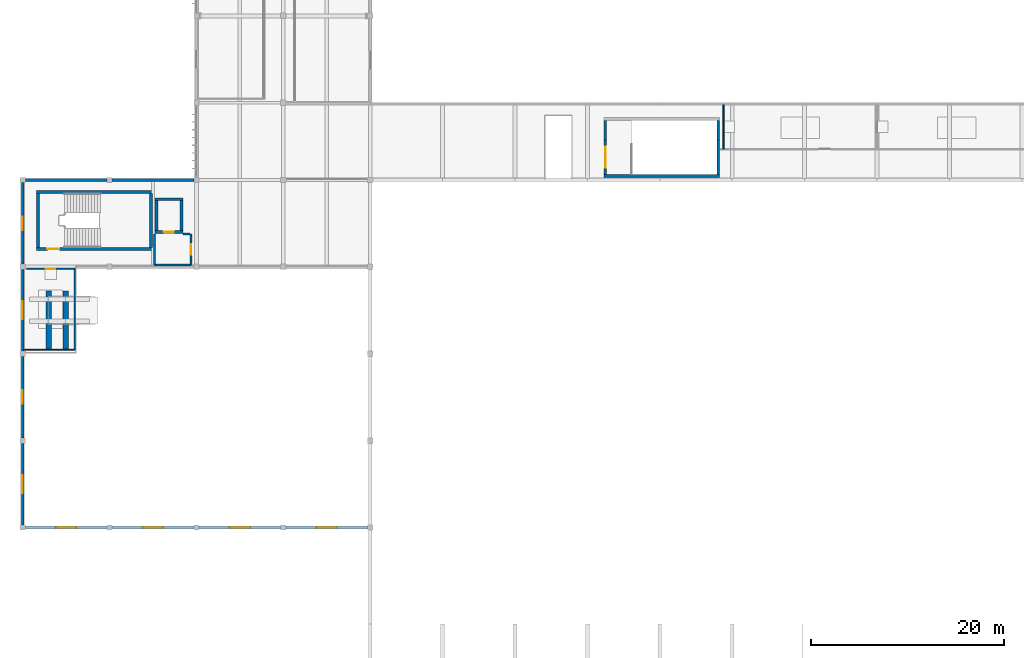
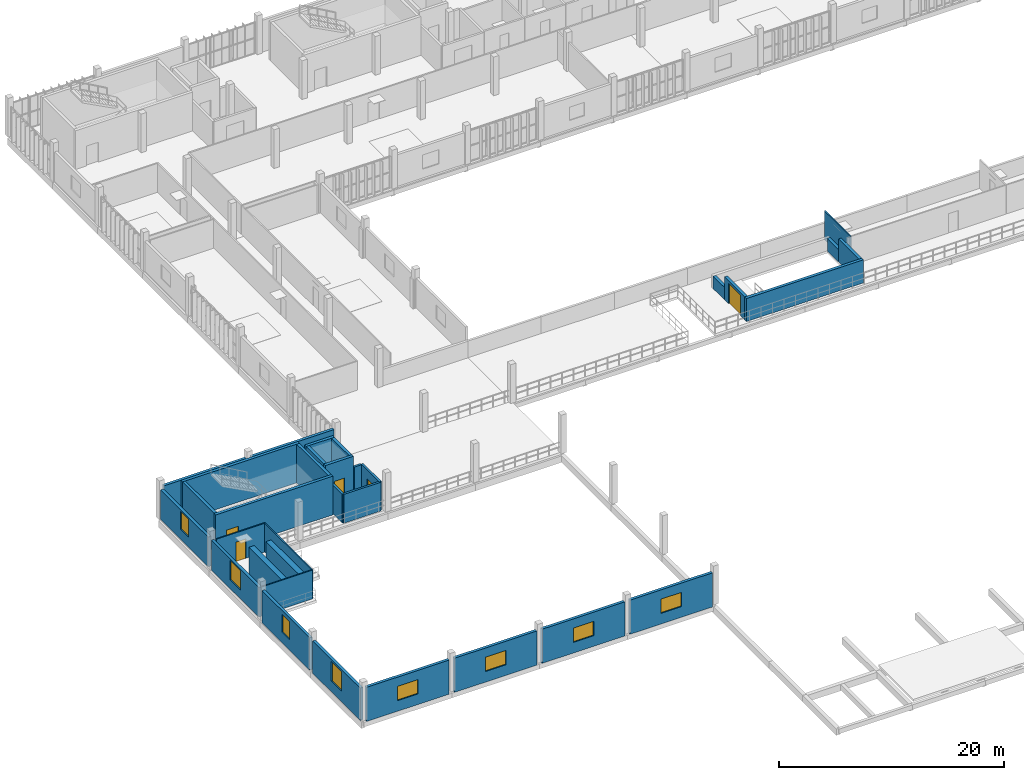
# One storey, part 40 of 61: 33 walls, 8 windows, 5 doors, 13 openings.
"""IFC4 building model written with IfcOpenShell, lengths in metres."""

from ifc_helpers import new_model, si_unit, direction, frame, frame_2d, origin, place, context, subcontext, project, spatial, rectangle, extrude, material, layer, layer_set, type_object, element, fill, save


model = new_model("IFC4")

# Units and contexts
model_context = context("Model", 3, precision=1e-05, world=origin(), true_north=direction((0.0, 1.0)))
body_context = subcontext(model_context, "Body", "Model", "MODEL_VIEW")
ifc_project = project(units=[si_unit("LENGTHUNIT", "METRE"), si_unit("AREAUNIT", "SQUARE_METRE"), si_unit("VOLUMEUNIT", "CUBIC_METRE"), si_unit("PLANEANGLEUNIT", "RADIAN"), si_unit("MASSUNIT", "GRAM", prefix="KILO")], contexts=[model_context])

# Site, building, storey
site_placement = place(None, origin())
site = spatial("IfcSite", under=ifc_project, at=site_placement, CompositionType="ELEMENT")
building_placement = place(site_placement, origin())
building = spatial("IfcBuilding", under=site, at=building_placement, Name="Vourika Railside Aquatics Centre", CompositionType="ELEMENT")
storey_placement = place(building_placement, frame((0.0, 0.0, 9.300048828125)))
storey = spatial("IfcBuildingStorey", under=building, at=storey_placement, Name="L02", CompositionType="ELEMENT", Elevation=9.300048828125)

# Wall, opening, door
ifc_material_1 = material(Name="Concrete C40/50", Category="concrete")
ifc_layer_1 = layer(ifc_material_1, 0.300048828125, Name="WL-CORE")
ifc_layer_set_1 = layer_set([ifc_layer_1], Name="Concrete C40/50")
wall_type_1 = type_object("IfcWallType", Name="WL-CORE", PredefinedType="SHEAR", material=ifc_layer_set_1)
wall_1_placement = place(storey_placement, frame((1.449951171875, 50.85009765625, 0.0), z_axis=(0.0, 0.0, 1.0), x_axis=(1.0, 0.0, 0.0)))
wall_1 = element("IfcWall", 1, at=wall_1_placement, inside=storey, type_object=wall_type_1, Name="Protected Exit Stair Core ST04 South Wall (L02)", PredefinedType="SHEAR", context=body_context, shape_type="SweptSolid", body=[
    extrude(rectangle(XDim=12.0, YDim=0.300048828125, at=frame_2d((6.0, 0.0))), origin(), (0.0, 0.0, 1.0), 4.199951171875),
])
opening_1_placement = place(wall_1_placement, frame((1.10009765625, 0.0, 0.0)))
opening_1 = element("IfcOpeningElement", 2, at=opening_1_placement, cuts=wall_1, Name="Opening DF02", PredefinedType="OPENING", context=body_context, shape_type="SweptSolid", body=[
    extrude(rectangle(XDim=1.25, YDim=2.14990234375, at=frame_2d((0.625, 1.074951171875))), frame((0.0, 0.16015625, 0.0), z_axis=(0.0, -1.0, 0.0), x_axis=(1.0, 0.0, 0.0)), (0.0, 0.0, 1.0), 0.320068359375),
])
ifc_material_2 = material(Name="Fire-rated wide exit stair door")
door_type_1 = type_object("IfcDoorType", Name="DR-FD60-125", OperationType="NOTDEFINED", PredefinedType="DOOR", material=ifc_material_2)
door_1_placement = place(opening_1_placement, origin())
door_1 = element("IfcDoor", 3, at=door_1_placement, inside=storey, type_object=door_type_1, Name="Protected Exit Stair Core ST04 Enclosure Fire Door (L02)", OperationType="SINGLE_SWING_LEFT", OverallHeight=2.14990234375, OverallWidth=1.25, PredefinedType="DOOR", context=body_context, shape_type="SweptSolid", body=[
    extrude(rectangle(XDim=1.25, YDim=2.14990234375, at=frame_2d((0.625, 1.074951171875))), frame((0.0, 0.02490234375, 0.0), z_axis=(0.0, -1.0, 0.0), x_axis=(1.0, 0.0, 0.0)), (0.0, 0.0, 1.0), 0.050048828125),
])
fill(opening_1, door_1)

# Walls
wall_2_placement = place(storey_placement, frame((13.449951171875, 56.75, 0.0), z_axis=(0.0, 0.0, 1.0), x_axis=(-1.0, 0.0, 0.0)))
element("IfcWall", 4, at=wall_2_placement, inside=storey, type_object=wall_type_1, Name="Protected Exit Stair Core ST04 North Wall (L02)", PredefinedType="SHEAR", context=body_context, shape_type="SweptSolid", body=[
    extrude(rectangle(XDim=12.0, YDim=0.300048828125, at=frame_2d((6.0, 0.0))), origin(), (0.0, 0.0, 1.0), 4.199951171875),
])
for number, where, z_axis, x_axis, name in (
    (5, (1.60009765625, 56.60009765625, 0.0), (0.0, 0.0, 1.0), (0.0, -1.0, 0.0), "Protected Exit Stair Core ST04 West Wall (L02)"),
    (6, (13.300048828125, 51.0, 0.0), (0.0, 0.0, 1.0), (0.0, 1.0, 0.0), "Protected Exit Stair Core ST04 East Wall (L02)"),
):
    element("IfcWall", number, at=place(storey_placement, frame(where, z_axis=z_axis, x_axis=x_axis)), inside=storey, type_object=wall_type_1, Name=name, PredefinedType="SHEAR", context=body_context, shape_type="SweptSolid", body=[
        extrude(rectangle(XDim=5.60009765625, YDim=0.300048828125, at=frame_2d((2.800048828125, 0.0))), origin(), (0.0, 0.0, 1.0), 4.199951171875),
    ])
wall_3_placement = place(storey_placement, frame((60.199951171875, 58.39990234375, 0.0), z_axis=(0.0, 0.0, 1.0), x_axis=(1.0, 0.0, 0.0)))
element("IfcWall", 7, at=wall_3_placement, inside=storey, type_object=wall_type_1, Name="Grandstand Vomitory Exit Stair ST08 South Wall (L02)", PredefinedType="SHEAR", context=body_context, shape_type="SweptSolid", body=[
    extrude(rectangle(XDim=12.0, YDim=0.300048828125, at=frame_2d((6.0, 0.0))), origin(), (0.0, 0.0, 1.0), 2.5),
])
wall_4_placement = place(storey_placement, frame((60.35009765625, 64.14990234375, 0.0), z_axis=(0.0, 0.0, 1.0), x_axis=(0.0, -1.0, 0.0)))
element("IfcWall", 8, at=wall_4_placement, inside=storey, type_object=wall_type_1, Name="Grandstand Vomitory Exit Stair ST08 West Low Wall (L02)", PredefinedType="SHEAR", context=body_context, shape_type="SweptSolid", body=[
    extrude(rectangle(XDim=2.0, YDim=0.300048828125, at=frame_2d((1.0, 0.0))), origin(), (0.0, 0.0, 1.0), 1.349853515625),
])

# Wall, opening, door
wall_5_placement = place(storey_placement, frame((60.35009765625, 62.14990234375, 0.0), z_axis=(0.0, 0.0, 1.0), x_axis=(0.0, -1.0, 0.0)))
wall_5 = element("IfcWall", 9, at=wall_5_placement, inside=storey, type_object=wall_type_1, Name="Grandstand Vomitory Exit Stair ST08 West Wall (L02)", PredefinedType="SHEAR", context=body_context, shape_type="SweptSolid", body=[
    extrude(rectangle(XDim=3.599853515625, YDim=0.300048828125, at=frame_2d((1.7998046875, 0.0))), origin(), (0.0, 0.0, 1.0), 2.5),
])
opening_2_placement = place(wall_5_placement, frame((0.699951171875, 0.0, 0.0)))
opening_2 = element("IfcOpeningElement", 10, at=opening_2_placement, cuts=wall_5, Name="Opening DF04", PredefinedType="OPENING", context=body_context, shape_type="SweptSolid", body=[
    extrude(rectangle(XDim=2.199951171875, YDim=2.25, at=frame_2d((1.10009765625, 1.125))), frame((0.0, 0.16015625, 0.0), z_axis=(0.0, -1.0, 0.0), x_axis=(1.0, 0.0, 0.0)), (0.0, 0.0, 1.0), 0.320068359375),
])
ifc_material_3 = material(Name="Fire-rated vomitory concourse double door")
door_type_2 = type_object("IfcDoorType", Name="DR-FD60D-220", OperationType="DOUBLE_DOOR_SINGLE_SWING", PredefinedType="DOOR", material=ifc_material_3)
door_2_placement = place(opening_2_placement, origin())
door_2 = element("IfcDoor", 11, at=door_2_placement, inside=storey, type_object=door_type_2, Name="Grandstand Vomitory Exit Stair ST08 Vomitory Portal Door (L02)", OperationType="DOUBLE_DOOR_SINGLE_SWING", OverallHeight=2.25, OverallWidth=2.199951171875, PredefinedType="DOOR", context=body_context, shape_type="SweptSolid", body=[
    extrude(rectangle(XDim=2.199951171875, YDim=2.25, at=frame_2d((1.10009765625, 1.125))), frame((0.0, 0.02490234375, 0.0), z_axis=(0.0, -1.0, 0.0), x_axis=(1.0, 0.0, 0.0)), (0.0, 0.0, 1.0), 0.050048828125),
])
fill(opening_2, door_2)

# Walls
wall_6_placement = place(storey_placement, frame((72.050048828125, 58.550048828125, 0.0), z_axis=(0.0, 0.0, 1.0), x_axis=(0.0, 1.0, 0.0)))
element("IfcWall", 12, at=wall_6_placement, inside=storey, type_object=wall_type_1, Name="Grandstand Vomitory Exit Stair ST08 East Wall (L02)", PredefinedType="SHEAR", context=body_context, shape_type="SweptSolid", body=[
    extrude(rectangle(XDim=3.599853515625, YDim=0.300048828125, at=frame_2d((1.7998046875, 0.0))), origin(), (0.0, 0.0, 1.0), 2.5),
])
wall_7_placement = place(storey_placement, frame((72.050048828125, 62.14990234375, 0.0), z_axis=(0.0, 0.0, 1.0), x_axis=(0.0, 1.0, 0.0)))
element("IfcWall", 13, at=wall_7_placement, inside=storey, type_object=wall_type_1, Name="Grandstand Vomitory Exit Stair ST08 East Low Wall (L02)", PredefinedType="SHEAR", context=body_context, shape_type="SweptSolid", body=[
    extrude(rectangle(XDim=2.0, YDim=0.300048828125, at=frame_2d((1.0, 0.0))), origin(), (0.0, 0.0, 1.0), 1.349853515625),
])

# Wall, opening, door
wall_8_placement = place(storey_placement, frame((13.699951171875, 52.60009765625, 0.0), z_axis=(0.0, 0.0, 1.0), x_axis=(1.0, 0.0, 0.0)))
wall_8 = element("IfcWall", 14, at=wall_8_placement, inside=storey, type_object=wall_type_1, Name="Lift LP02 Shaft South Wall (L02)", PredefinedType="SHEAR", context=body_context, shape_type="SweptSolid", body=[
    extrude(rectangle(XDim=2.900146484375, YDim=0.300048828125, at=frame_2d((1.4501953125, 0.0))), origin(), (0.0, 0.0, 1.0), 4.199951171875),
])
opening_3_placement = place(wall_8_placement, frame((0.925048828125, 0.0, 0.0)))
opening_3 = element("IfcOpeningElement", 15, at=opening_3_placement, cuts=wall_8, Name="Opening LD02", PredefinedType="OPENING", context=body_context, shape_type="SweptSolid", body=[
    extrude(rectangle(XDim=1.050048828125, YDim=2.14990234375, at=frame_2d((0.52490234375, 1.074951171875))), frame((0.0, 0.16015625, 0.0), z_axis=(0.0, -1.0, 0.0), x_axis=(1.0, 0.0, 0.0)), (0.0, 0.0, 1.0), 0.320068359375),
])
ifc_material_4 = material(Name="Stainless passenger lift landing door")
door_type_3 = type_object("IfcDoorType", Name="DR-LIFT-LD2", OperationType="DOUBLE_DOOR_SLIDING", PredefinedType="DOOR", material=ifc_material_4)
door_3_placement = place(opening_3_placement, origin())
door_3 = element("IfcDoor", 16, at=door_3_placement, inside=storey, type_object=door_type_3, Name="Lift LP02 Sliding Landing Door (L02)", OperationType="DOUBLE_DOOR_SLIDING", OverallHeight=2.14990234375, OverallWidth=1.050048828125, PredefinedType="DOOR", context=body_context, shape_type="SweptSolid", body=[
    extrude(rectangle(XDim=1.050048828125, YDim=2.14990234375, at=frame_2d((0.52490234375, 1.074951171875))), frame((0.0, 0.02490234375, 0.0), z_axis=(0.0, -1.0, 0.0), x_axis=(1.0, 0.0, 0.0)), (0.0, 0.0, 1.0), 0.050048828125),
])
fill(opening_3, door_3)

# Walls
wall_9_placement = place(storey_placement, frame((16.60009765625, 56.0, 0.0), z_axis=(0.0, 0.0, 1.0), x_axis=(-1.0, 0.0, 0.0)))
element("IfcWall", 17, at=wall_9_placement, inside=storey, type_object=wall_type_1, Name="Lift LP02 Shaft North Wall (L02)", PredefinedType="SHEAR", context=body_context, shape_type="SweptSolid", body=[
    extrude(rectangle(XDim=2.900146484375, YDim=0.300048828125, at=frame_2d((1.4501953125, 0.0))), origin(), (0.0, 0.0, 1.0), 4.199951171875),
])
for number, where, z_axis, x_axis, name in (
    (18, (13.85009765625, 56.0, 0.0), (0.0, 0.0, 1.0), (0.0, -1.0, 0.0), "Lift LP02 Shaft West Wall (L02)"),
    (19, (16.449951171875, 52.60009765625, 0.0), (0.0, 0.0, 1.0), (0.0, 1.0, 0.0), "Lift LP02 Shaft East Wall (L02)"),
):
    element("IfcWall", number, at=place(storey_placement, frame(where, z_axis=z_axis, x_axis=x_axis)), inside=storey, type_object=wall_type_1, Name=name, PredefinedType="SHEAR", context=body_context, shape_type="SweptSolid", body=[
        extrude(rectangle(XDim=3.39990234375, YDim=0.300048828125, at=frame_2d((1.699951171875, 0.0))), origin(), (0.0, 0.0, 1.0), 4.199951171875),
    ])
ifc_layer_2 = layer(ifc_material_1, 0.550048828125, Name="WL-DIVE-550")
ifc_layer_set_2 = layer_set([ifc_layer_2], Name="Concrete C40/50")
wall_type_2 = type_object("IfcWallType", Name="WL-DIVE-550", PredefinedType="SOLIDWALL", material=ifc_layer_set_2)
for number, where, z_axis, x_axis, name in (
    (20, (2.699951171875, 40.39990234375, 0.0), (0.0, 0.0, 1.0), (0.0, 1.0, 0.0), "Sculpted Diving Tower Spine Wall W (L02)"),
    (21, (4.449951171875, 40.39990234375, 0.0), (0.0, 0.0, 1.0), (0.0, 1.0, 0.0), "Sculpted Diving Tower Spine Wall E (L02)"),
):
    element("IfcWall", number, at=place(storey_placement, frame(where, z_axis=z_axis, x_axis=x_axis)), inside=storey, type_object=wall_type_2, Name=name, PredefinedType="SOLIDWALL", context=body_context, shape_type="SweptSolid", body=[
        extrude(rectangle(XDim=6.10009765625, YDim=0.550048828125, at=frame_2d((3.050048828125, 0.0))), origin(), (0.0, 0.0, 1.0), 2.89990234375),
    ])

# Wall, opening, window
ifc_material_5 = material(Name="Precast concrete C40/50", Category="concrete")
ifc_layer_3 = layer(ifc_material_5, 0.2900390625, Name="WL-EXT-290")
ifc_layer_set_3 = layer_set([ifc_layer_3], Name="Precast concrete C40/50")
wall_type_3 = type_object("IfcWallType", Name="WL-EXT-290", PredefinedType="SOLIDWALL", material=ifc_layer_set_3)
wall_10_placement = place(storey_placement, frame((0.0, 30.72509765625, -0.280029296875), z_axis=(0.0, 0.0, 1.0), x_axis=(0.0, -1.0, 0.0)))
wall_10 = element("IfcWall", 22, at=wall_10_placement, inside=storey, type_object=wall_type_3, Name="Diving Hall West Precast Wall (L02-1)", PredefinedType="SOLIDWALL", context=body_context, shape_type="SweptSolid", body=[
    extrude(rectangle(XDim=8.4501953125, YDim=0.2900390625, at=frame_2d((4.22509765625, 0.0))), origin(), (0.0, 0.0, 1.0), 3.5),
])
opening_4_placement = place(wall_10_placement, frame((3.300048828125, 0.0, 1.14990234375)))
opening_4 = element("IfcOpeningElement", 23, at=opening_4_placement, cuts=wall_10, Name="Opening W15", PredefinedType="OPENING", context=body_context, shape_type="SweptSolid", body=[
    extrude(rectangle(XDim=1.85009765625, YDim=2.10009765625, at=frame_2d((0.925048828125, 1.050048828125))), frame((0.0, 0.155029296875, 0.0), z_axis=(0.0, -1.0, 0.0), x_axis=(1.0, 0.0, 0.0)), (0.0, 0.0, 1.0), 0.31005859375),
])
ifc_material_6 = material(Name="Laminated solar-control glass", Category="glass")
window_type_1 = type_object("IfcWindowType", Name="WN-DIV-185x210", PartitioningType="DOUBLE_PANEL_VERTICAL", PredefinedType="WINDOW", material=ifc_material_6)
window_1_placement = place(opening_4_placement, origin())
window_1 = element("IfcWindow", 24, at=window_1_placement, inside=storey, type_object=window_type_1, Name="Diving Gallery West Window L02-1", OverallHeight=2.10009765625, OverallWidth=1.85009765625, PartitioningType="SINGLE_PANEL", PredefinedType="WINDOW", context=body_context, shape_type="SweptSolid", body=[
    extrude(rectangle(XDim=1.85009765625, YDim=2.10009765625, at=frame_2d((0.925048828125, 1.050048828125))), frame((0.0, 0.030029296875, 0.0), z_axis=(0.0, -1.0, 0.0), x_axis=(1.0, 0.0, 0.0)), (0.0, 0.0, 1.0), 0.06005859375),
])
fill(opening_4, window_1)

wall_11_placement = place(storey_placement, frame((0.0, 39.72509765625, -0.280029296875), z_axis=(0.0, 0.0, 1.0), x_axis=(0.0, -1.0, 0.0)))
wall_11 = element("IfcWall", 25, at=wall_11_placement, inside=storey, type_object=wall_type_3, Name="Diving Hall West Precast Wall (L02-2)", PredefinedType="SOLIDWALL", context=body_context, shape_type="SweptSolid", body=[
    extrude(rectangle(XDim=8.4501953125, YDim=0.2900390625, at=frame_2d((4.22509765625, 0.0))), origin(), (0.0, 0.0, 1.0), 3.5),
])
opening_5_placement = place(wall_11_placement, frame((3.52490234375, 0.0, 1.14990234375)))
opening_5 = element("IfcOpeningElement", 26, at=opening_5_placement, cuts=wall_11, Name="Opening W16", PredefinedType="OPENING", context=body_context, shape_type="SweptSolid", body=[
    extrude(rectangle(XDim=1.39990234375, YDim=1.949951171875, at=frame_2d((0.699951171875, 0.97509765625))), frame((0.0, 0.155029296875, 0.0), z_axis=(0.0, -1.0, 0.0), x_axis=(1.0, 0.0, 0.0)), (0.0, 0.0, 1.0), 0.31005859375),
])
window_type_2 = type_object("IfcWindowType", Name="WN-DIV-140x195", PartitioningType="SINGLE_PANEL", PredefinedType="WINDOW", material=ifc_material_6)
window_2_placement = place(opening_5_placement, origin())
window_2 = element("IfcWindow", 27, at=window_2_placement, inside=storey, type_object=window_type_2, Name="Diving Gallery West Window L02-2", OverallHeight=1.949951171875, OverallWidth=1.39990234375, PartitioningType="SINGLE_PANEL", PredefinedType="WINDOW", context=body_context, shape_type="SweptSolid", body=[
    extrude(rectangle(XDim=1.39990234375, YDim=1.949951171875, at=frame_2d((0.699951171875, 0.97509765625))), frame((0.0, 0.030029296875, 0.0), z_axis=(0.0, -1.0, 0.0), x_axis=(1.0, 0.0, 0.0)), (0.0, 0.0, 1.0), 0.06005859375),
])
fill(opening_5, window_2)

wall_12_placement = place(storey_placement, frame((0.0, 48.72509765625, 0.0), z_axis=(0.0, 0.0, 1.0), x_axis=(0.0, -1.0, 0.0)))
wall_12 = element("IfcWall", 28, at=wall_12_placement, inside=storey, type_object=wall_type_3, Name="Diving Hall West Precast Wall (L02-3)", PredefinedType="SOLIDWALL", context=body_context, shape_type="SweptSolid", body=[
    extrude(rectangle(XDim=8.4501953125, YDim=0.2900390625, at=frame_2d((4.22509765625, 0.0))), origin(), (0.0, 0.0, 1.0), 3.219970703125),
])
opening_6_placement = place(wall_12_placement, frame((3.300048828125, 0.0, 0.93994140625)))
opening_6 = element("IfcOpeningElement", 29, at=opening_6_placement, cuts=wall_12, Name="Opening W15", PredefinedType="OPENING", context=body_context, shape_type="SweptSolid", body=[
    extrude(rectangle(XDim=1.85009765625, YDim=2.10009765625, at=frame_2d((0.925048828125, 1.050048828125))), frame((0.0, 0.155029296875, 0.0), z_axis=(0.0, -1.0, 0.0), x_axis=(1.0, 0.0, 0.0)), (0.0, 0.0, 1.0), 0.31005859375),
])
window_3_placement = place(opening_6_placement, origin())
window_3 = element("IfcWindow", 30, at=window_3_placement, inside=storey, type_object=window_type_1, Name="Diving Gallery West Window L02-3", OverallHeight=2.10009765625, OverallWidth=1.85009765625, PartitioningType="SINGLE_PANEL", PredefinedType="WINDOW", context=body_context, shape_type="SweptSolid", body=[
    extrude(rectangle(XDim=1.85009765625, YDim=2.10009765625, at=frame_2d((0.925048828125, 1.050048828125))), frame((0.0, 0.030029296875, 0.0), z_axis=(0.0, -1.0, 0.0), x_axis=(1.0, 0.0, 0.0)), (0.0, 0.0, 1.0), 0.06005859375),
])
fill(opening_6, window_3)

wall_13_placement = place(storey_placement, frame((0.0, 57.72509765625, 0.0), z_axis=(0.0, 0.0, 1.0), x_axis=(0.0, -1.0, 0.0)))
wall_13 = element("IfcWall", 31, at=wall_13_placement, inside=storey, type_object=wall_type_3, Name="Diving Hall West Precast Wall (L02-4)", PredefinedType="SOLIDWALL", context=body_context, shape_type="SweptSolid", body=[
    extrude(rectangle(XDim=8.4501953125, YDim=0.2900390625, at=frame_2d((4.22509765625, 0.0))), origin(), (0.0, 0.0, 1.0), 3.219970703125),
])
opening_7_placement = place(wall_13_placement, frame((3.52490234375, 0.0, 1.090087890625)))
opening_7 = element("IfcOpeningElement", 32, at=opening_7_placement, cuts=wall_13, Name="Opening W16", PredefinedType="OPENING", context=body_context, shape_type="SweptSolid", body=[
    extrude(rectangle(XDim=1.39990234375, YDim=1.949951171875, at=frame_2d((0.699951171875, 0.97509765625))), frame((0.0, 0.155029296875, 0.0), z_axis=(0.0, -1.0, 0.0), x_axis=(1.0, 0.0, 0.0)), (0.0, 0.0, 1.0), 0.31005859375),
])
window_4_placement = place(opening_7_placement, origin())
window_4 = element("IfcWindow", 33, at=window_4_placement, inside=storey, type_object=window_type_2, Name="Diving Gallery West Window L02-4", OverallHeight=1.949951171875, OverallWidth=1.39990234375, PartitioningType="SINGLE_PANEL", PredefinedType="WINDOW", context=body_context, shape_type="SweptSolid", body=[
    extrude(rectangle(XDim=1.39990234375, YDim=1.949951171875, at=frame_2d((0.699951171875, 0.97509765625))), frame((0.0, 0.030029296875, 0.0), z_axis=(0.0, -1.0, 0.0), x_axis=(1.0, 0.0, 0.0)), (0.0, 0.0, 1.0), 0.06005859375),
])
fill(opening_7, window_4)

wall_14_placement = place(storey_placement, frame((0.27490234375, 22.0, -0.280029296875), z_axis=(0.0, 0.0, 1.0), x_axis=(1.0, 0.0, 0.0)))
wall_14 = element("IfcWall", 34, at=wall_14_placement, inside=storey, type_object=wall_type_3, Name="Diving Hall South Wall (L02-1)", PredefinedType="SOLIDWALL", context=body_context, shape_type="SweptSolid", body=[
    extrude(rectangle(XDim=8.4501953125, YDim=0.2900390625, at=frame_2d((4.22509765625, 0.0))), origin(), (0.0, 0.0, 1.0), 3.699951171875),
])
opening_8_placement = place(wall_14_placement, frame((3.175048828125, 0.0, 1.14990234375)))
opening_8 = element("IfcOpeningElement", 35, at=opening_8_placement, cuts=wall_14, Name="Opening W07", PredefinedType="OPENING", context=body_context, shape_type="SweptSolid", body=[
    extrude(rectangle(XDim=2.10009765625, YDim=1.550048828125, at=frame_2d((1.050048828125, 0.77490234375))), frame((0.0, 0.155029296875, 0.0), z_axis=(0.0, -1.0, 0.0), x_axis=(1.0, 0.0, 0.0)), (0.0, 0.0, 1.0), 0.31005859375),
])
window_type_3 = type_object("IfcWindowType", Name="WN-CLN-210x155", PartitioningType="DOUBLE_PANEL_VERTICAL", PredefinedType="WINDOW", material=ifc_material_6)
window_5_placement = place(opening_8_placement, origin())
window_5 = element("IfcWindow", 36, at=window_5_placement, inside=storey, type_object=window_type_3, Name="Diving South Window L02-1", OverallHeight=1.550048828125, OverallWidth=2.10009765625, PartitioningType="SINGLE_PANEL", PredefinedType="WINDOW", context=body_context, shape_type="SweptSolid", body=[
    extrude(rectangle(XDim=2.10009765625, YDim=1.550048828125, at=frame_2d((1.050048828125, 0.77490234375))), frame((0.0, 0.030029296875, 0.0), z_axis=(0.0, -1.0, 0.0), x_axis=(1.0, 0.0, 0.0)), (0.0, 0.0, 1.0), 0.06005859375),
])
fill(opening_8, window_5)

# Wall
wall_15_placement = place(storey_placement, frame((8.72509765625, 58.0, 0.0), z_axis=(0.0, 0.0, 1.0), x_axis=(-1.0, 0.0, 0.0)))
element("IfcWall", 37, at=wall_15_placement, inside=storey, type_object=wall_type_3, Name="Diving Hall North Wall (L02-1)", PredefinedType="SOLIDWALL", context=body_context, shape_type="SweptSolid", body=[
    extrude(rectangle(XDim=8.4501953125, YDim=0.2900390625, at=frame_2d((4.22509765625, 0.0))), origin(), (0.0, 0.0, 1.0), 3.419921875),
])

# Wall, opening, window
wall_16_placement = place(storey_placement, frame((9.27490234375, 22.0, -0.280029296875), z_axis=(0.0, 0.0, 1.0), x_axis=(1.0, 0.0, 0.0)))
wall_16 = element("IfcWall", 38, at=wall_16_placement, inside=storey, type_object=wall_type_3, Name="Diving Hall South Wall (L02-2)", PredefinedType="SOLIDWALL", context=body_context, shape_type="SweptSolid", body=[
    extrude(rectangle(XDim=8.4501953125, YDim=0.2900390625, at=frame_2d((4.22509765625, 0.0))), origin(), (0.0, 0.0, 1.0), 3.699951171875),
])
opening_9_placement = place(wall_16_placement, frame((3.175048828125, 0.0, 1.14990234375)))
opening_9 = element("IfcOpeningElement", 39, at=opening_9_placement, cuts=wall_16, Name="Opening W07", PredefinedType="OPENING", context=body_context, shape_type="SweptSolid", body=[
    extrude(rectangle(XDim=2.10009765625, YDim=1.550048828125, at=frame_2d((1.050048828125, 0.77490234375))), frame((0.0, 0.155029296875, 0.0), z_axis=(0.0, -1.0, 0.0), x_axis=(1.0, 0.0, 0.0)), (0.0, 0.0, 1.0), 0.31005859375),
])
window_6_placement = place(opening_9_placement, origin())
window_6 = element("IfcWindow", 40, at=window_6_placement, inside=storey, type_object=window_type_3, Name="Diving South Window L02-2", OverallHeight=1.550048828125, OverallWidth=2.10009765625, PartitioningType="SINGLE_PANEL", PredefinedType="WINDOW", context=body_context, shape_type="SweptSolid", body=[
    extrude(rectangle(XDim=2.10009765625, YDim=1.550048828125, at=frame_2d((1.050048828125, 0.77490234375))), frame((0.0, 0.030029296875, 0.0), z_axis=(0.0, -1.0, 0.0), x_axis=(1.0, 0.0, 0.0)), (0.0, 0.0, 1.0), 0.06005859375),
])
fill(opening_9, window_6)

# Wall
wall_17_placement = place(storey_placement, frame((17.72509765625, 58.0, 0.0), z_axis=(0.0, 0.0, 1.0), x_axis=(-1.0, 0.0, 0.0)))
element("IfcWall", 41, at=wall_17_placement, inside=storey, type_object=wall_type_3, Name="Diving Hall North Wall (L02-2)", PredefinedType="SOLIDWALL", context=body_context, shape_type="SweptSolid", body=[
    extrude(rectangle(XDim=8.4501953125, YDim=0.2900390625, at=frame_2d((4.22509765625, 0.0))), origin(), (0.0, 0.0, 1.0), 3.419921875),
])

# Wall, opening, window
wall_18_placement = place(storey_placement, frame((18.27490234375, 22.0, -0.280029296875), z_axis=(0.0, 0.0, 1.0), x_axis=(1.0, 0.0, 0.0)))
wall_18 = element("IfcWall", 42, at=wall_18_placement, inside=storey, type_object=wall_type_3, Name="Diving Hall South Wall (L02-3)", PredefinedType="SOLIDWALL", context=body_context, shape_type="SweptSolid", body=[
    extrude(rectangle(XDim=8.4501953125, YDim=0.2900390625, at=frame_2d((4.22509765625, 0.0))), origin(), (0.0, 0.0, 1.0), 3.699951171875),
])
opening_10_placement = place(wall_18_placement, frame((3.175048828125, 0.0, 1.14990234375)))
opening_10 = element("IfcOpeningElement", 43, at=opening_10_placement, cuts=wall_18, Name="Opening W07", PredefinedType="OPENING", context=body_context, shape_type="SweptSolid", body=[
    extrude(rectangle(XDim=2.10009765625, YDim=1.550048828125, at=frame_2d((1.050048828125, 0.77490234375))), frame((0.0, 0.155029296875, 0.0), z_axis=(0.0, -1.0, 0.0), x_axis=(1.0, 0.0, 0.0)), (0.0, 0.0, 1.0), 0.31005859375),
])
window_7_placement = place(opening_10_placement, origin())
window_7 = element("IfcWindow", 44, at=window_7_placement, inside=storey, type_object=window_type_3, Name="Diving South Window L02-3", OverallHeight=1.550048828125, OverallWidth=2.10009765625, PartitioningType="SINGLE_PANEL", PredefinedType="WINDOW", context=body_context, shape_type="SweptSolid", body=[
    extrude(rectangle(XDim=2.10009765625, YDim=1.550048828125, at=frame_2d((1.050048828125, 0.77490234375))), frame((0.0, 0.030029296875, 0.0), z_axis=(0.0, -1.0, 0.0), x_axis=(1.0, 0.0, 0.0)), (0.0, 0.0, 1.0), 0.06005859375),
])
fill(opening_10, window_7)

wall_19_placement = place(storey_placement, frame((27.27490234375, 22.0, -0.280029296875), z_axis=(0.0, 0.0, 1.0), x_axis=(1.0, 0.0, 0.0)))
wall_19 = element("IfcWall", 45, at=wall_19_placement, inside=storey, type_object=wall_type_3, Name="Diving Hall South Wall (L02-4)", PredefinedType="SOLIDWALL", context=body_context, shape_type="SweptSolid", body=[
    extrude(rectangle(XDim=8.4501953125, YDim=0.2900390625, at=frame_2d((4.22509765625, 0.0))), origin(), (0.0, 0.0, 1.0), 3.699951171875),
])
opening_11_placement = place(wall_19_placement, frame((3.175048828125, 0.0, 1.14990234375)))
opening_11 = element("IfcOpeningElement", 46, at=opening_11_placement, cuts=wall_19, Name="Opening W07", PredefinedType="OPENING", context=body_context, shape_type="SweptSolid", body=[
    extrude(rectangle(XDim=2.10009765625, YDim=1.550048828125, at=frame_2d((1.050048828125, 0.77490234375))), frame((0.0, 0.155029296875, 0.0), z_axis=(0.0, -1.0, 0.0), x_axis=(1.0, 0.0, 0.0)), (0.0, 0.0, 1.0), 0.31005859375),
])
window_8_placement = place(opening_11_placement, origin())
window_8 = element("IfcWindow", 47, at=window_8_placement, inside=storey, type_object=window_type_3, Name="Diving South Window L02-4", OverallHeight=1.550048828125, OverallWidth=2.10009765625, PartitioningType="SINGLE_PANEL", PredefinedType="WINDOW", context=body_context, shape_type="SweptSolid", body=[
    extrude(rectangle(XDim=2.10009765625, YDim=1.550048828125, at=frame_2d((1.050048828125, 0.77490234375))), frame((0.0, 0.030029296875, 0.0), z_axis=(0.0, -1.0, 0.0), x_axis=(1.0, 0.0, 0.0)), (0.0, 0.0, 1.0), 0.06005859375),
])
fill(opening_11, window_8)

# Walls
ifc_material_7 = material(Name="Concrete C35/45", Category="concrete")
ifc_layer_4 = layer(ifc_material_7, 0.219970703125, Name="WL-FIRE")
ifc_layer_set_4 = layer_set([ifc_layer_4], Name="Concrete C35/45")
wall_type_4 = type_object("IfcWallType", Name="WL-FIRE", PredefinedType="SOLIDWALL", material=ifc_layer_set_4)
wall_20_placement = place(storey_placement, frame((13.64990234375, 49.199951171875, 0.0), z_axis=(0.0, 0.0, 1.0), x_axis=(1.0, 0.0, 0.0)))
element("IfcWall", 48, at=wall_20_placement, inside=storey, type_object=wall_type_4, Name="Lift LP02 Lobby Corridor Fire Wall (L02)", PredefinedType="SOLIDWALL", context=body_context, shape_type="SweptSolid", body=[
    extrude(rectangle(XDim=3.800048828125, YDim=0.219970703125, at=frame_2d((1.89990234375, 0.0))), origin(), (0.0, 0.0, 1.0), 3.119873046875),
])
wall_21_placement = place(storey_placement, frame((13.64990234375, 49.199951171875, 0.0), z_axis=(0.0, 0.0, 1.0), x_axis=(0.0, 1.0, 0.0)))
element("IfcWall", 49, at=wall_21_placement, inside=storey, type_object=wall_type_4, Name="Lift LP02 Lobby West Fire Wall (L02)", PredefinedType="SOLIDWALL", context=body_context, shape_type="SweptSolid", body=[
    extrude(rectangle(XDim=3.199951171875, YDim=0.219970703125, at=frame_2d((1.60009765625, 0.0))), origin(), (0.0, 0.0, 1.0), 3.119873046875),
])

# Wall, opening, door
wall_22_placement = place(storey_placement, frame((17.449951171875, 49.199951171875, 0.0), z_axis=(0.0, 0.0, 1.0), x_axis=(0.0, 1.0, 0.0)))
wall_22 = element("IfcWall", 50, at=wall_22_placement, inside=storey, type_object=wall_type_4, Name="Lift LP02 Lobby East Fire Wall (L02)", PredefinedType="SOLIDWALL", context=body_context, shape_type="SweptSolid", body=[
    extrude(rectangle(XDim=3.199951171875, YDim=0.219970703125, at=frame_2d((1.60009765625, 0.0))), origin(), (0.0, 0.0, 1.0), 3.119873046875),
])
opening_12_placement = place(wall_22_placement, frame((1.050048828125, 0.0, 0.0)))
opening_12 = element("IfcOpeningElement", 51, at=opening_12_placement, cuts=wall_22, Name="Opening DF01", PredefinedType="OPENING", context=body_context, shape_type="SweptSolid", body=[
    extrude(rectangle(XDim=1.10009765625, YDim=2.14990234375, at=frame_2d((0.550048828125, 1.074951171875))), frame((0.0, 0.1201171875, 0.0), z_axis=(0.0, -1.0, 0.0), x_axis=(1.0, 0.0, 0.0)), (0.0, 0.0, 1.0), 0.239990234375),
])
ifc_material_8 = material(Name="Fire-rated steel and timber core door", Category="steel")
door_type_4 = type_object("IfcDoorType", Name="DR-FD60", OperationType="NOTDEFINED", PredefinedType="DOOR", material=ifc_material_8)
door_4_placement = place(opening_12_placement, origin())
door_4 = element("IfcDoor", 52, at=door_4_placement, inside=storey, type_object=door_type_4, Name="Lift LP02 Lobby Fire Door (L02)", OperationType="SINGLE_SWING_LEFT", OverallHeight=2.14990234375, OverallWidth=1.10009765625, PredefinedType="DOOR", context=body_context, shape_type="SweptSolid", body=[
    extrude(rectangle(XDim=1.10009765625, YDim=2.14990234375, at=frame_2d((0.550048828125, 1.074951171875))), frame((0.0, 0.02490234375, 0.0), z_axis=(0.0, -1.0, 0.0), x_axis=(1.0, 0.0, 0.0)), (0.0, 0.0, 1.0), 0.050048828125),
])
fill(opening_12, door_4)

# Walls
wall_23_placement = place(storey_placement, frame((16.60009765625, 52.39990234375, 0.0), z_axis=(0.0, 0.0, 1.0), x_axis=(1.0, 0.0, 0.0)))
element("IfcWall", 53, at=wall_23_placement, inside=storey, type_object=wall_type_4, Name="Lift LP02 Lobby North-East Closure Wall (L02)", PredefinedType="SOLIDWALL", context=body_context, shape_type="SweptSolid", body=[
    extrude(rectangle(XDim=0.72998046875, YDim=0.219970703125, at=frame_2d((0.364990234375, 0.0))), origin(), (0.0, 0.0, 1.0), 3.119873046875),
])
ifc_material_9 = material(Name="Lightweight drylining partition")
ifc_layer_5 = layer(ifc_material_9, 0.1201171875, Name="WL-PART-120")
ifc_layer_set_5 = layer_set([ifc_layer_5], Name="Lightweight drylining partition")
wall_type_5 = type_object("IfcWallType", Name="WL-PART-120", PredefinedType="PARTITIONING", material=ifc_layer_set_5)
wall_24_placement = place(storey_placement, frame((72.60009765625, 61.199951171875, 0.0), z_axis=(0.0, 0.0, 1.0), x_axis=(0.0, 1.0, 0.0)))
element("IfcWall", 54, at=wall_24_placement, inside=storey, type_object=wall_type_5, Name="Timing and Officials Box Partition 1", PredefinedType="PARTITIONING", context=body_context, shape_type="SweptSolid", body=[
    extrude(rectangle(XDim=4.5849609375, YDim=0.1201171875, at=frame_2d((2.29248046875, 0.0))), origin(), (0.0, 0.0, 1.0), 3.119873046875),
])

# Wall, opening, door
wall_25_placement = place(storey_placement, frame((0.39990234375, 48.800048828125, 0.0), z_axis=(0.0, 0.0, 1.0), x_axis=(1.0, 0.0, 0.0)))
wall_25 = element("IfcWall", 55, at=wall_25_placement, inside=storey, type_object=wall_type_5, Name="10 m Diving Platform Access and Judges Gallery Partition 1", PredefinedType="PARTITIONING", context=body_context, shape_type="SweptSolid", body=[
    extrude(rectangle(XDim=5.0, YDim=0.1201171875, at=frame_2d((2.5, 0.0))), origin(), (0.0, 0.0, 1.0), 3.119873046875),
])
opening_13_placement = place(wall_25_placement, frame((2.0, 0.0, 0.0)))
opening_13 = element("IfcOpeningElement", 56, at=opening_13_placement, cuts=wall_25, Name="Opening DI01", PredefinedType="OPENING", context=body_context, shape_type="SweptSolid", body=[
    extrude(rectangle(XDim=1.0, YDim=2.10009765625, at=frame_2d((0.5, 1.050048828125))), frame((0.0, 0.070068359375, 0.0), z_axis=(0.0, -1.0, 0.0), x_axis=(1.0, 0.0, 0.0)), (0.0, 0.0, 1.0), 0.14013671875),
])
ifc_material_10 = material(Name="Anodized aluminium and laminate door", Category="aluminium")
door_type_5 = type_object("IfcDoorType", Name="DR-INT-1000", OperationType="NOTDEFINED", PredefinedType="DOOR", material=ifc_material_10)
door_5_placement = place(opening_13_placement, origin())
door_5 = element("IfcDoor", 57, at=door_5_placement, inside=storey, type_object=door_type_5, Name="10 m Diving Platform Access and Judges Gallery Door", OperationType="SINGLE_SWING_RIGHT", OverallHeight=2.10009765625, OverallWidth=1.0, PredefinedType="DOOR", context=body_context, shape_type="SweptSolid", body=[
    extrude(rectangle(XDim=1.0, YDim=2.10009765625, at=frame_2d((0.5, 1.050048828125))), frame((0.0, 0.02490234375, 0.0), z_axis=(0.0, -1.0, 0.0), x_axis=(1.0, 0.0, 0.0)), (0.0, 0.0, 1.0), 0.050048828125),
])
fill(opening_13, door_5)

# Walls
wall_26_placement = place(storey_placement, frame((5.39990234375, 48.800048828125, 0.0), z_axis=(0.0, 0.0, 1.0), x_axis=(0.0, -1.0, 0.0)))
element("IfcWall", 58, at=wall_26_placement, inside=storey, type_object=wall_type_5, Name="10 m Diving Platform Access and Judges Gallery Partition 2", PredefinedType="PARTITIONING", context=body_context, shape_type="SweptSolid", body=[
    extrude(rectangle(XDim=8.400146484375, YDim=0.1201171875, at=frame_2d((4.2001953125, 0.0))), origin(), (0.0, 0.0, 1.0), 3.119873046875),
])
wall_27_placement = place(storey_placement, frame((5.39990234375, 40.39990234375, 0.0), z_axis=(0.0, 0.0, 1.0), x_axis=(-1.0, 0.0, 0.0)))
element("IfcWall", 59, at=wall_27_placement, inside=storey, type_object=wall_type_5, Name="10 m Diving Platform Access and Judges Gallery Partition 3", PredefinedType="PARTITIONING", context=body_context, shape_type="SweptSolid", body=[
    extrude(rectangle(XDim=5.27490234375, YDim=0.1201171875, at=frame_2d((2.637451171875, 0.0))), origin(), (0.0, 0.0, 1.0), 3.119873046875),
])

save(model, "model.ifc")
